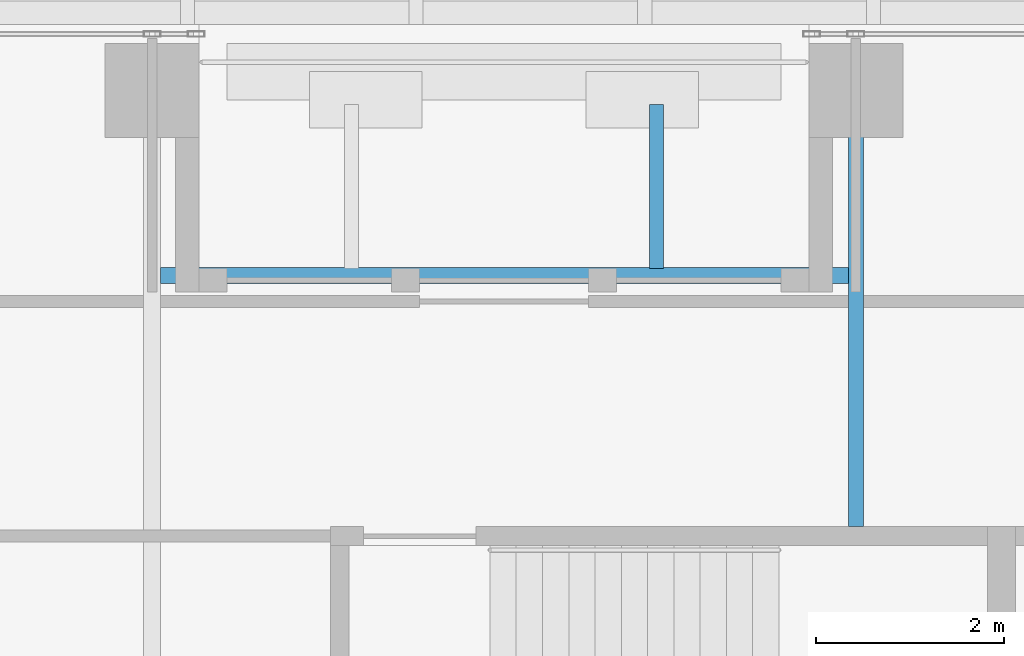
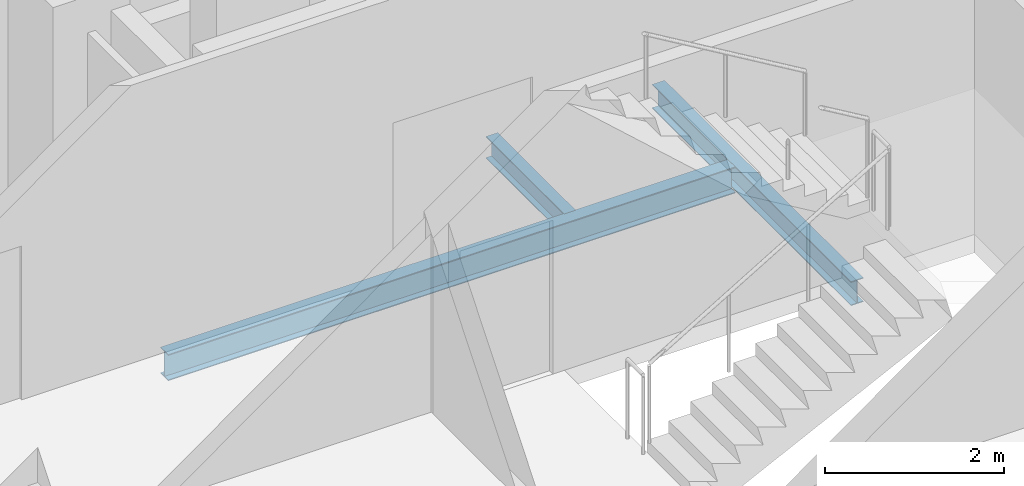
# One storey, part 19 of 43: 3 beams.
"""IFC4 building model written with IfcOpenShell, lengths in metres."""

from ifc_helpers import new_model, si_unit, direction, frame, origin, origin_2d, place, context, subcontext, project, spatial, i_section, extrude, source, transform, mapped, material, material_profile, profile_set, type_object, element, save


model = new_model("IFC4")

# Units and contexts
model_context = context("Model", 3, precision=1e-05, world=origin(), true_north=direction((0.0, 1.0)))
body_context = subcontext(model_context, "Body", "Model", "MODEL_VIEW")
ifc_project = project(units=[si_unit("LENGTHUNIT", "METRE"), si_unit("AREAUNIT", "SQUARE_METRE"), si_unit("VOLUMEUNIT", "CUBIC_METRE"), si_unit("PLANEANGLEUNIT", "RADIAN"), si_unit("MASSUNIT", "GRAM", prefix="KILO")], contexts=[model_context])

# Site, building, storey
site_placement = place(None, origin())
site = spatial("IfcSite", under=ifc_project, at=site_placement, CompositionType="ELEMENT")
building_placement = place(site_placement, origin())
building = spatial("IfcBuilding", under=site, at=building_placement, Name="Khomas Fold Tower", CompositionType="ELEMENT")
storey_placement = place(building_placement, frame((0.0, 0.0, 164.699951171875)))
storey = spatial("IfcBuildingStorey", under=building, at=storey_placement, Name="L35", CompositionType="ELEMENT", Elevation=164.699951171875)

# Beams
ifc_material_1 = material(Name="Steel S355", Category="steel")
ifc_material_profile_1 = material_profile(ifc_material_1, i_section(OverallWidth=0.159912109375, OverallDepth=0.330078125, WebThickness=0.007568359375, FlangeThickness=0.011474609375, at=origin_2d()), Name="IPE 330")
ifc_profile_set_1 = profile_set([ifc_material_profile_1], Name="Steel S355")
beam_type_1 = type_object("IfcBeamType", Name="IPE 330 beam JB1", PredefinedType="BEAM", material=ifc_profile_set_1)
shared_shape_1 = source(origin(), body_context, "Body", "SweptSolid", [
    extrude(i_section(OverallWidth=0.159912109375, OverallDepth=0.330078125, WebThickness=0.007568359375, FlangeThickness=0.011474609375, at=origin_2d()), origin(), (0.0, 0.0, 1.0), 4.4501953125),
])
beam_1_placement = place(storey_placement, frame((19.5, 45.64990234375, -0.4150390625), z_axis=(0.0, 1.0, 0.0), x_axis=(-1.0, 0.0, 0.0)))
element("IfcBeam", 1, at=beam_1_placement, inside=storey, type_object=beam_type_1, Name="JB1", PredefinedType="BEAM", context=body_context, shape_type="MappedRepresentation", body=[
    mapped(shared_shape_1, transform((0.0, 0.0, 0.0))),
])
ifc_material_2 = material(Name="Steel S355", Category="steel")
ifc_material_profile_2 = material_profile(ifc_material_2, i_section(OverallWidth=0.169921875, OverallDepth=0.360107421875, WebThickness=0.008056640625, FlangeThickness=0.0126953125, at=origin_2d()), Name="IPE 360")
ifc_profile_set_2 = profile_set([ifc_material_profile_2], Name="Steel S355")
beam_type_2 = type_object("IfcBeamType", Name="IPE 360 beam BB4", PredefinedType="BEAM", material=ifc_profile_set_2)
shared_shape_2 = source(origin(), body_context, "Body", "SweptSolid", [
    extrude(i_section(OverallWidth=0.169921875, OverallDepth=0.360107421875, WebThickness=0.008056640625, FlangeThickness=0.0126953125, at=origin_2d()), origin(), (0.0, 0.0, 1.0), 7.329833984375),
])
beam_2_placement = place(storey_placement, frame((12.090087890625, 48.324951171875, -0.429931640625), z_axis=(1.0, 0.0, 0.0), x_axis=(0.0, 1.0, 0.0)))
element("IfcBeam", 2, at=beam_2_placement, inside=storey, type_object=beam_type_2, Name="BB4", PredefinedType="BEAM", context=body_context, shape_type="MappedRepresentation", body=[
    mapped(shared_shape_2, transform((0.0, 0.0, 0.0))),
])
ifc_material_3 = material(Name="Steel S355", Category="steel")
ifc_material_profile_3 = material_profile(ifc_material_3, i_section(OverallWidth=0.14990234375, OverallDepth=0.300048828125, WebThickness=0.007080078125, FlangeThickness=0.0107421875, at=origin_2d()), Name="IPE 300")
ifc_profile_set_3 = profile_set([ifc_material_profile_3], Name="Steel S355")
beam_type_3 = type_object("IfcBeamType", Name="IPE 300 beam BB2", PredefinedType="BEAM", material=ifc_profile_set_3)
shared_shape_3 = source(origin(), body_context, "Body", "SweptSolid", [
    extrude(i_section(OverallWidth=0.14990234375, OverallDepth=0.300048828125, WebThickness=0.007080078125, FlangeThickness=0.0107421875, at=origin_2d()), origin(), (0.0, 0.0, 1.0), 1.75),
])
beam_3_placement = place(storey_placement, frame((17.375, 48.39990234375, -0.39990234375), z_axis=(0.0, 1.0, 0.0), x_axis=(-1.0, 0.0, 0.0)))
element("IfcBeam", 3, at=beam_3_placement, inside=storey, type_object=beam_type_3, Name="BB2", PredefinedType="BEAM", context=body_context, shape_type="MappedRepresentation", body=[
    mapped(shared_shape_3, transform((0.0, 0.0, 0.0))),
])

save(model, "model.ifc")
